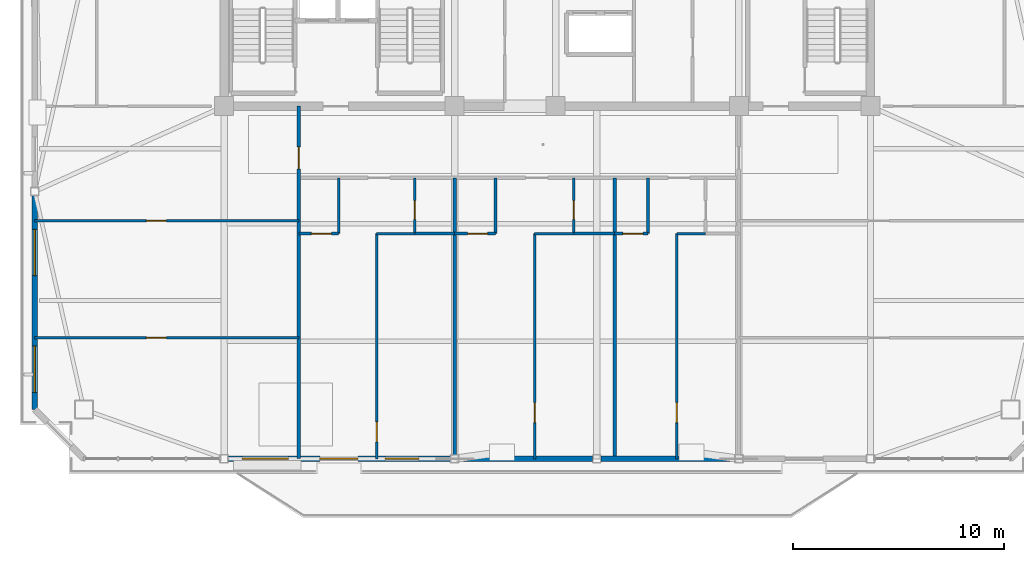
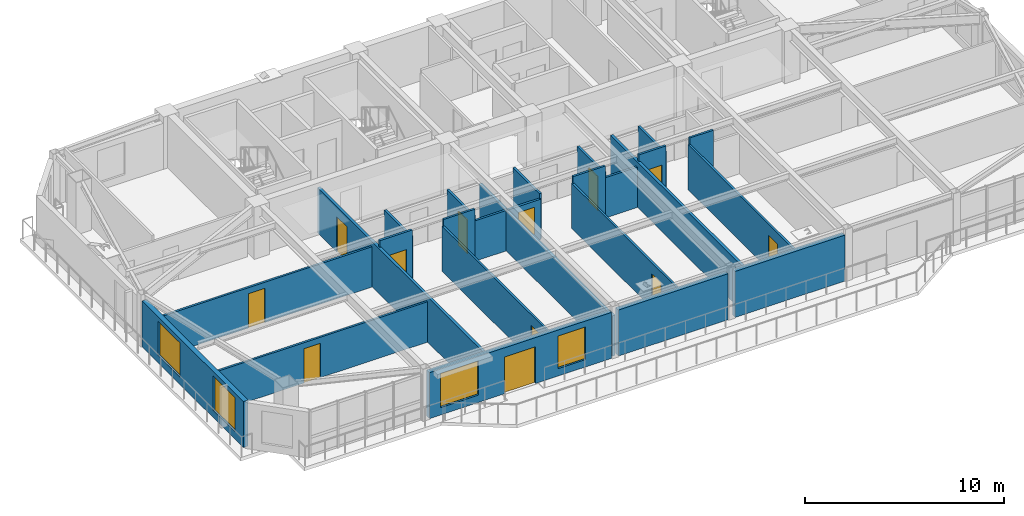
# One storey, part 6 of 14: 25 walls, 12 doors, 4 windows, 16 openings.
"""IFC4 building model written with IfcOpenShell, lengths in metres."""

from ifc_helpers import new_model, si_unit, direction, frame, frame_2d, origin, place, context, subcontext, project, spatial, rectangle, extrude, source, transform, mapped, material, layer, layer_set, type_object, element, fill, save


model = new_model("IFC4")

# Units and contexts
model_context = context("Model", 3, precision=1e-05, world=origin(), true_north=direction((0.0, 1.0)))
body_context = subcontext(model_context, "Body", "Model", "MODEL_VIEW")
ifc_project = project(units=[si_unit("LENGTHUNIT", "METRE"), si_unit("AREAUNIT", "SQUARE_METRE"), si_unit("VOLUMEUNIT", "CUBIC_METRE"), si_unit("PLANEANGLEUNIT", "RADIAN"), si_unit("MASSUNIT", "GRAM", prefix="KILO")], contexts=[model_context])

# Site, building, storey
site_placement = place(None, origin())
site = spatial("IfcSite", under=ifc_project, at=site_placement, CompositionType="ELEMENT")
building_placement = place(site_placement, origin())
building = spatial("IfcBuilding", under=site, at=building_placement, Name="Giltprow Tower", CompositionType="ELEMENT")
storey_placement = place(building_placement, frame((0.0, 0.0, 314.199951171875)))
storey = spatial("IfcBuildingStorey", under=building, at=storey_placement, Name="L81", CompositionType="ELEMENT", Elevation=314.199951171875)

# Wall, openings, windows, door
ifc_material_1 = material(Name="Precast concrete C40", Category="concrete")
ifc_layer_1 = layer(ifc_material_1, 0.280029296875, Name="Precast concrete C40")
ifc_layer_set_1 = layer_set([ifc_layer_1], Name="Precast concrete C40")
wall_type_1 = type_object("IfcWallType", Name="EW-TOW-BRONZE-280", PredefinedType="SOLIDWALL", material=ifc_layer_set_1)
wall_1_placement = place(storey_placement, frame((20.050048828125, 20.7041015625, 0.0), z_axis=(0.0, 0.0, 1.0), x_axis=(1.0, 0.0, 0.0)))
wall_1 = element("IfcWall", 1, at=wall_1_placement, inside=storey, type_object=wall_type_1, Name="L81 South Expressed Frame Wall 2", PredefinedType="SOLIDWALL", context=body_context, shape_type="SweptSolid", body=[
    extrude(rectangle(XDim=10.550048828125, YDim=0.280029296875, at=frame_2d((5.27490234375, 0.0))), origin(), (0.0, 0.0, 1.0), 2.81494140625),
])
opening_1_placement = place(wall_1_placement, frame((4.35009765625, 0.0, 0.0)))
opening_1 = element("IfcOpeningElement", 2, at=opening_1_placement, cuts=wall_1, Name="Opening ED25", PredefinedType="OPENING", context=body_context, shape_type="SweptSolid", body=[
    extrude(rectangle(XDim=1.800048828125, YDim=2.25, at=frame_2d((0.89990234375, 1.125))), frame((0.0, 0.14990234375, 0.0), z_axis=(0.0, -1.0, 0.0), x_axis=(1.0, 0.0, 0.0)), (0.0, 0.0, 1.0), 0.300048828125),
])
opening_2_placement = place(wall_1_placement, frame((0.64990234375, 0.0, 0.449951171875)))
opening_2 = element("IfcOpeningElement", 3, at=opening_2_placement, cuts=wall_1, Name="Opening WN27", PredefinedType="OPENING", context=body_context, shape_type="SweptSolid", body=[
    extrude(rectangle(XDim=2.199951171875, YDim=2.10009765625, at=frame_2d((1.10009765625, 1.050048828125))), frame((0.0, 0.14990234375, 0.0), z_axis=(0.0, -1.0, 0.0), x_axis=(1.0, 0.0, 0.0)), (0.0, 0.0, 1.0), 0.300048828125),
])
opening_3_placement = place(wall_1_placement, frame((7.449951171875, 0.0, 0.449951171875)))
opening_3 = element("IfcOpeningElement", 4, at=opening_3_placement, cuts=wall_1, Name="Opening WN17", PredefinedType="OPENING", context=body_context, shape_type="SweptSolid", body=[
    extrude(rectangle(XDim=1.60009765625, YDim=2.0, at=frame_2d((0.800048828125, 1.0))), frame((0.0, 0.14990234375, 0.0), z_axis=(0.0, -1.0, 0.0), x_axis=(1.0, 0.0, 0.0)), (0.0, 0.0, 1.0), 0.300048828125),
])
ifc_material_2 = material(Name="Insulated glass", Category="glass")
window_type_1 = type_object("IfcWindowType", Name="WN-COR-1600x2000", PartitioningType="SINGLE_PANEL", PredefinedType="WINDOW", material=ifc_material_2)
shared_shape_1 = source(origin(), body_context, "Body", "SweptSolid", [
    extrude(rectangle(XDim=1.60009765625, YDim=2.0, at=frame_2d((0.800048828125, 1.0))), frame((0.0, 0.030029296875, 0.0), z_axis=(0.0, -1.0, 0.0), x_axis=(1.0, 0.0, 0.0)), (0.0, 0.0, 1.0), 0.06005859375),
])
window_1_placement = place(opening_3_placement, origin())
window_1 = element("IfcWindow", 5, at=window_1_placement, inside=storey, type_object=window_type_1, Name="L81 South Window 2B", OverallHeight=2.0, OverallWidth=1.60009765625, PartitioningType="SINGLE_PANEL", PredefinedType="WINDOW", context=body_context, shape_type="MappedRepresentation", body=[
    mapped(shared_shape_1, transform((0.0, 0.0, 0.0), x_axis=(1.0, 0.0, 0.0), y_axis=(0.0, 1.0, 0.0), z_axis=(0.0, 0.0, 1.0), scale=1.0)),
])
fill(opening_3, window_1)
ifc_material_3 = material(Name="Anodized bronze and glass", Category="glass")
door_type_1 = type_object("IfcDoorType", Name="DR-BALC-SLIDE-1800", OperationType="SLIDING_TO_LEFT", PredefinedType="DOOR", material=ifc_material_3)
shared_shape_2 = source(origin(), body_context, "Body", "SweptSolid", [
    extrude(rectangle(XDim=1.800048828125, YDim=2.25, at=frame_2d((0.89990234375, 1.125))), frame((0.0, 0.02490234375, 0.0), z_axis=(0.0, -1.0, 0.0), x_axis=(1.0, 0.0, 0.0)), (0.0, 0.0, 1.0), 0.050048828125),
])
door_1_placement = place(opening_1_placement, origin())
door_1 = element("IfcDoor", 6, at=door_1_placement, inside=storey, type_object=door_type_1, Name="L81 Waterfront Balcony Sliding Door 1", OperationType="SLIDING_TO_LEFT", OverallHeight=2.25, OverallWidth=1.800048828125, PredefinedType="DOOR", context=body_context, shape_type="MappedRepresentation", body=[
    mapped(shared_shape_2, transform((0.0, 0.0, 0.0), x_axis=(1.0, 0.0, 0.0), y_axis=(0.0, 1.0, 0.0), z_axis=(0.0, 0.0, 1.0), scale=1.0)),
])
fill(opening_1, door_1)
window_type_2 = type_object("IfcWindowType", Name="WN-RES-2200x2100", PartitioningType="TRIPLE_PANEL_VERTICAL", PredefinedType="WINDOW", material=ifc_material_2)
shared_shape_3 = source(origin(), body_context, "Body", "SweptSolid", [
    extrude(rectangle(XDim=2.199951171875, YDim=2.10009765625, at=frame_2d((1.10009765625, 1.050048828125))), frame((0.0, 0.030029296875, 0.0), z_axis=(0.0, -1.0, 0.0), x_axis=(1.0, 0.0, 0.0)), (0.0, 0.0, 1.0), 0.06005859375),
])
window_2_placement = place(opening_2_placement, origin())
window_2 = element("IfcWindow", 7, at=window_2_placement, inside=storey, type_object=window_type_2, Name="L81 South Window 2A", OverallHeight=2.10009765625, OverallWidth=2.199951171875, PartitioningType="SINGLE_PANEL", PredefinedType="WINDOW", context=body_context, shape_type="MappedRepresentation", body=[
    mapped(shared_shape_3, transform((0.0, 0.0, 0.0), x_axis=(1.0, 0.0, 0.0), y_axis=(0.0, 1.0, 0.0), z_axis=(0.0, 0.0, 1.0), scale=1.0)),
])
fill(opening_2, window_2)

# Walls
for number, where, z_axis, x_axis, name in (
    (8, (31.0, 20.7041015625, 0.0), (0.0, 0.0, 1.0), (1.0, 0.0, 0.0), "L81 South Expressed Frame Wall 3"),
    (9, (37.75, 20.7041015625, 0.0), (0.0, 0.0, 1.0), (1.0, 0.0, 0.0), "L81 South Expressed Frame Wall 4"),
):
    element("IfcWall", number, at=place(storey_placement, frame(where, z_axis=z_axis, x_axis=x_axis)), inside=storey, type_object=wall_type_1, Name=name, PredefinedType="SOLIDWALL", context=body_context, shape_type="SweptSolid", body=[
        extrude(rectangle(XDim=6.35009765625, YDim=0.280029296875, at=frame_2d((3.175048828125, 0.0))), origin(), (0.0, 0.0, 1.0), 2.81494140625),
    ])

# Wall, openings, windows
wall_2_placement = place(storey_placement, frame((10.85498046875, 23.0419921875, 0.0), z_axis=(0.0, 0.0, 1.0), x_axis=(0.0, 1.0, 0.0)))
wall_2 = element("IfcWall", 10, at=wall_2_placement, inside=storey, type_object=wall_type_1, Name="L81 W Wing Masonry Wall 1", PredefinedType="SOLIDWALL", context=body_context, shape_type="SweptSolid", body=[
    extrude(rectangle(XDim=10.159912109375, YDim=0.280029296875, at=frame_2d((5.080078125, 0.0))), origin(), (0.0, 0.0, 1.0), 2.81494140625),
])
opening_4_placement = place(wall_2_placement, frame((0.820068359375, 0.0, 0.449951171875)))
opening_4 = element("IfcOpeningElement", 11, at=opening_4_placement, cuts=wall_2, Name="Opening WN27", PredefinedType="OPENING", context=body_context, shape_type="SweptSolid", body=[
    extrude(rectangle(XDim=2.199951171875, YDim=2.10009765625, at=frame_2d((1.10009765625, 1.050048828125))), frame((0.0, 0.14990234375, 0.0), z_axis=(0.0, -1.0, 0.0), x_axis=(1.0, 0.0, 0.0)), (0.0, 0.0, 1.0), 0.300048828125),
])
opening_5_placement = place(wall_2_placement, frame((6.362060546875, 0.0, 0.449951171875)))
opening_5 = element("IfcOpeningElement", 12, at=opening_5_placement, cuts=wall_2, Name="Opening WN27", PredefinedType="OPENING", context=body_context, shape_type="SweptSolid", body=[
    extrude(rectangle(XDim=2.199951171875, YDim=2.10009765625, at=frame_2d((1.10009765625, 1.050048828125))), frame((0.0, 0.14990234375, 0.0), z_axis=(0.0, -1.0, 0.0), x_axis=(1.0, 0.0, 0.0)), (0.0, 0.0, 1.0), 0.300048828125),
])
window_3_placement = place(opening_4_placement, origin())
window_3 = element("IfcWindow", 13, at=window_3_placement, inside=storey, type_object=window_type_2, Name="L81 W Wing Window 1-1A", OverallHeight=2.10009765625, OverallWidth=2.199951171875, PartitioningType="SINGLE_PANEL", PredefinedType="WINDOW", context=body_context, shape_type="MappedRepresentation", body=[
    mapped(shared_shape_3, transform((0.0, 0.0, 0.0), x_axis=(1.0, 0.0, 0.0), y_axis=(0.0, 1.0, 0.0), z_axis=(0.0, 0.0, 1.0), scale=1.0)),
])
fill(opening_4, window_3)
window_4_placement = place(opening_5_placement, origin())
window_4 = element("IfcWindow", 14, at=window_4_placement, inside=storey, type_object=window_type_2, Name="L81 W Wing Window 1-1B", OverallHeight=2.10009765625, OverallWidth=2.199951171875, PartitioningType="SINGLE_PANEL", PredefinedType="WINDOW", context=body_context, shape_type="MappedRepresentation", body=[
    mapped(shared_shape_3, transform((0.0, 0.0, 0.0), x_axis=(1.0, 0.0, 0.0), y_axis=(0.0, 1.0, 0.0), z_axis=(0.0, 0.0, 1.0), scale=1.0)),
])
fill(opening_5, window_4)

# Wall, opening, door
ifc_material_4 = material(Name="Gypsum stud partition", Category="gypsum")
ifc_layer_2 = layer(ifc_material_4, 0.159912109375, Name="Gypsum stud partition")
ifc_layer_set_2 = layer_set([ifc_layer_2], Name="Gypsum stud partition")
wall_type_2 = type_object("IfcWallType", Name="IW-DEMISE-160", PredefinedType="PARTITIONING", material=ifc_layer_set_2)
wall_3_placement = place(storey_placement, frame((23.39990234375, 20.7041015625, 0.0), z_axis=(0.0, 0.0, 1.0), x_axis=(0.0, 1.0, 0.0)))
wall_3 = element("IfcWall", 15, at=wall_3_placement, inside=storey, type_object=wall_type_2, Name="L81 Apartment Party Wall 1", PredefinedType="PARTITIONING", context=body_context, shape_type="SweptSolid", body=[
    extrude(rectangle(XDim=16.745849609375, YDim=0.159912109375, at=frame_2d((8.373046875, 0.0))), origin(), (0.0, 0.0, 1.0), 2.77001953125),
])
opening_6_placement = place(wall_3_placement, frame((13.76611328125, 0.0, 0.0)))
opening_6 = element("IfcOpeningElement", 16, at=opening_6_placement, cuts=wall_3, Name="Opening ID31", PredefinedType="OPENING", context=body_context, shape_type="SweptSolid", body=[
    extrude(rectangle(XDim=1.050048828125, YDim=2.14990234375, at=frame_2d((0.52490234375, 1.074951171875))), frame((0.0, 0.08984375, 0.0), z_axis=(0.0, -1.0, 0.0), x_axis=(1.0, 0.0, 0.0)), (0.0, 0.0, 1.0), 0.179931640625),
])
ifc_material_5 = material(Name="Engineered timber", Category="wood")
door_type_2 = type_object("IfcDoorType", Name="DR-SUITE-1050", OperationType="SINGLE_SWING_LEFT", PredefinedType="DOOR", material=ifc_material_5)
shared_shape_4 = source(origin(), body_context, "Body", "SweptSolid", [
    extrude(rectangle(XDim=1.050048828125, YDim=2.14990234375, at=frame_2d((0.52490234375, 1.074951171875))), frame((0.0, 0.02490234375, 0.0), z_axis=(0.0, -1.0, 0.0), x_axis=(1.0, 0.0, 0.0)), (0.0, 0.0, 1.0), 0.050048828125),
])
door_2_placement = place(opening_6_placement, origin())
door_2 = element("IfcDoor", 17, at=door_2_placement, inside=storey, type_object=door_type_2, Name="L81 Committee Meeting Room Corridor End Door", OperationType="SINGLE_SWING_RIGHT", OverallHeight=2.14990234375, OverallWidth=1.050048828125, PredefinedType="DOOR", context=body_context, shape_type="MappedRepresentation", body=[
    mapped(shared_shape_4, transform((0.0, 0.0, 0.0), x_axis=(1.0, 0.0, 0.0), y_axis=(0.0, 1.0, 0.0), z_axis=(0.0, 0.0, 1.0), scale=1.0)),
])
fill(opening_6, door_2)

# Walls
wall_4_placement = place(storey_placement, frame((30.800048828125, 20.7041015625, 0.0), z_axis=(0.0, 0.0, 1.0), x_axis=(0.0, 1.0, 0.0)))
element("IfcWall", 18, at=wall_4_placement, inside=storey, type_object=wall_type_2, Name="L81 Apartment Party Wall 2", PredefinedType="PARTITIONING", context=body_context, shape_type="SweptSolid", body=[
    extrude(rectangle(XDim=13.345947265625, YDim=0.159912109375, at=frame_2d((6.6728515625, 0.0))), origin(), (0.0, 0.0, 1.0), 2.469970703125),
])
wall_5_placement = place(storey_placement, frame((38.39990234375, 20.7041015625, 0.0), z_axis=(0.0, 0.0, 1.0), x_axis=(0.0, 1.0, 0.0)))
element("IfcWall", 19, at=wall_5_placement, inside=storey, type_object=wall_type_2, Name="L81 Apartment Party Wall 3", PredefinedType="PARTITIONING", context=body_context, shape_type="SweptSolid", body=[
    extrude(rectangle(XDim=13.345947265625, YDim=0.159912109375, at=frame_2d((6.6728515625, 0.0))), origin(), (0.0, 0.0, 1.0), 2.77001953125),
])

# Wall, opening, door
ifc_layer_3 = layer(ifc_material_4, 0.1201171875, Name="Gypsum stud partition")
ifc_layer_set_3 = layer_set([ifc_layer_3], Name="Gypsum stud partition")
wall_type_3 = type_object("IfcWallType", Name="IW-ROOM-120", PredefinedType="PARTITIONING", material=ifc_layer_set_3)
wall_6_placement = place(storey_placement, frame((10.85498046875, 26.4619140625, 0.0), z_axis=(0.0, 0.0, 1.0), x_axis=(1.0, 0.0, 0.0)))
wall_6 = element("IfcWall", 20, at=wall_6_placement, inside=storey, type_object=wall_type_3, Name="L81 Special Split 1", PredefinedType="PARTITIONING", context=body_context, shape_type="SweptSolid", body=[
    extrude(rectangle(XDim=12.544921875, YDim=0.1201171875, at=frame_2d((6.2724609375, 0.0))), origin(), (0.0, 0.0, 1.0), 2.469970703125),
])
opening_7_placement = place(wall_6_placement, frame((5.303955078125, 0.0, 0.0)))
opening_7 = element("IfcOpeningElement", 21, at=opening_7_placement, cuts=wall_6, Name="Opening ID11", PredefinedType="OPENING", context=body_context, shape_type="SweptSolid", body=[
    extrude(rectangle(XDim=0.949951171875, YDim=2.10009765625, at=frame_2d((0.47509765625, 1.050048828125))), frame((0.0, 0.070068359375, 0.0), z_axis=(0.0, -1.0, 0.0), x_axis=(1.0, 0.0, 0.0)), (0.0, 0.0, 1.0), 0.14013671875),
])
door_type_3 = type_object("IfcDoorType", Name="DR-ROOM-950", OperationType="SINGLE_SWING_RIGHT", PredefinedType="DOOR", material=ifc_material_5)
shared_shape_5 = source(origin(), body_context, "Body", "SweptSolid", [
    extrude(rectangle(XDim=0.949951171875, YDim=2.10009765625, at=frame_2d((0.47509765625, 1.050048828125))), frame((0.0, 0.02490234375, 0.0), z_axis=(0.0, -1.0, 0.0), x_axis=(1.0, 0.0, 0.0)), (0.0, 0.0, 1.0), 0.050048828125),
])
door_3_placement = place(opening_7_placement, origin())
door_3 = element("IfcDoor", 22, at=door_3_placement, inside=storey, type_object=door_type_3, Name="L81 Committee Meeting Room South Door", OperationType="SINGLE_SWING_RIGHT", OverallHeight=2.10009765625, OverallWidth=0.949951171875, PredefinedType="DOOR", context=body_context, shape_type="MappedRepresentation", body=[
    mapped(shared_shape_5, transform((0.0, 0.0, 0.0), x_axis=(1.0, 0.0, 0.0), y_axis=(0.0, 1.0, 0.0), z_axis=(0.0, 0.0, 1.0), scale=1.0)),
])
fill(opening_7, door_3)

wall_7_placement = place(storey_placement, frame((10.85498046875, 32.01904296875, 0.0), z_axis=(0.0, 0.0, 1.0), x_axis=(1.0, 0.0, 0.0)))
wall_7 = element("IfcWall", 23, at=wall_7_placement, inside=storey, type_object=wall_type_3, Name="L81 Special Split 2", PredefinedType="PARTITIONING", context=body_context, shape_type="SweptSolid", body=[
    extrude(rectangle(XDim=12.544921875, YDim=0.1201171875, at=frame_2d((6.2724609375, 0.0))), origin(), (0.0, 0.0, 1.0), 2.469970703125),
])
opening_8_placement = place(wall_7_placement, frame((5.303955078125, 0.0, 0.0)))
opening_8 = element("IfcOpeningElement", 24, at=opening_8_placement, cuts=wall_7, Name="Opening ID11", PredefinedType="OPENING", context=body_context, shape_type="SweptSolid", body=[
    extrude(rectangle(XDim=0.949951171875, YDim=2.10009765625, at=frame_2d((0.47509765625, 1.050048828125))), frame((0.0, 0.070068359375, 0.0), z_axis=(0.0, -1.0, 0.0), x_axis=(1.0, 0.0, 0.0)), (0.0, 0.0, 1.0), 0.14013671875),
])
door_4_placement = place(opening_8_placement, origin())
door_4 = element("IfcDoor", 25, at=door_4_placement, inside=storey, type_object=door_type_3, Name="L81 Committee Meeting Room Mid Door", OperationType="SINGLE_SWING_LEFT", OverallHeight=2.10009765625, OverallWidth=0.949951171875, PredefinedType="DOOR", context=body_context, shape_type="MappedRepresentation", body=[
    mapped(shared_shape_5, transform((0.0, 0.0, 0.0), x_axis=(1.0, 0.0, 0.0), y_axis=(0.0, 1.0, 0.0), z_axis=(0.0, 0.0, 1.0), scale=1.0)),
])
fill(opening_8, door_4)

# Wall
wall_8_placement = place(storey_placement, frame((27.10009765625, 31.39990234375, 0.0), z_axis=(0.0, 0.0, 1.0), x_axis=(1.0, 0.0, 0.0)))
element("IfcWall", 26, at=wall_8_placement, inside=storey, type_object=wall_type_3, Name="L81 Unit 1 Bedroom North Wall", PredefinedType="PARTITIONING", context=body_context, shape_type="SweptSolid", body=[
    extrude(rectangle(XDim=1.809814453125, YDim=0.1201171875, at=frame_2d((0.90478515625, 0.0))), origin(), (0.0, 0.0, 1.0), 3.18505859375),
])

# Wall, opening, door
wall_9_placement = place(storey_placement, frame((27.10009765625, 20.7041015625, 0.0), z_axis=(0.0, 0.0, 1.0), x_axis=(0.0, 1.0, 0.0)))
wall_9 = element("IfcWall", 27, at=wall_9_placement, inside=storey, type_object=wall_type_3, Name="L81 Unit 1 Bedroom Wall", PredefinedType="PARTITIONING", context=body_context, shape_type="SweptSolid", body=[
    extrude(rectangle(XDim=10.69580078125, YDim=0.1201171875, at=frame_2d((5.347900390625, 0.0))), origin(), (0.0, 0.0, 1.0), 2.77001953125),
])
opening_9_placement = place(wall_9_placement, frame((0.800048828125, 0.0, 0.0)))
opening_9 = element("IfcOpeningElement", 28, at=opening_9_placement, cuts=wall_9, Name="Opening ID11", PredefinedType="OPENING", context=body_context, shape_type="SweptSolid", body=[
    extrude(rectangle(XDim=0.949951171875, YDim=2.10009765625, at=frame_2d((0.47509765625, 1.050048828125))), frame((0.0, 0.070068359375, 0.0), z_axis=(0.0, -1.0, 0.0), x_axis=(1.0, 0.0, 0.0)), (0.0, 0.0, 1.0), 0.14013671875),
])
door_5_placement = place(opening_9_placement, origin())
door_5 = element("IfcDoor", 29, at=door_5_placement, inside=storey, type_object=door_type_3, Name="L81 Unit 1 Primary Bedroom Door", OperationType="SINGLE_SWING_RIGHT", OverallHeight=2.10009765625, OverallWidth=0.949951171875, PredefinedType="DOOR", context=body_context, shape_type="MappedRepresentation", body=[
    mapped(shared_shape_5, transform((0.0, 0.0, 0.0), x_axis=(1.0, 0.0, 0.0), y_axis=(0.0, 1.0, 0.0), z_axis=(0.0, 0.0, 1.0), scale=1.0)),
])
fill(opening_9, door_5)

# Wall
wall_10_placement = place(storey_placement, frame((34.60009765625, 31.39990234375, 0.0), z_axis=(0.0, 0.0, 1.0), x_axis=(1.0, 0.0, 0.0)))
element("IfcWall", 30, at=wall_10_placement, inside=storey, type_object=wall_type_3, Name="L81 Unit 2 Bedroom North Wall", PredefinedType="PARTITIONING", context=body_context, shape_type="SweptSolid", body=[
    extrude(rectangle(XDim=1.85986328125, YDim=0.1201171875, at=frame_2d((0.929931640625, 0.0))), origin(), (0.0, 0.0, 1.0), 3.18505859375),
])

# Wall, opening, door
wall_11_placement = place(storey_placement, frame((34.60009765625, 20.7041015625, 0.0), z_axis=(0.0, 0.0, 1.0), x_axis=(0.0, 1.0, 0.0)))
wall_11 = element("IfcWall", 31, at=wall_11_placement, inside=storey, type_object=wall_type_3, Name="L81 Unit 2 Bedroom Wall", PredefinedType="PARTITIONING", context=body_context, shape_type="SweptSolid", body=[
    extrude(rectangle(XDim=10.69580078125, YDim=0.1201171875, at=frame_2d((5.347900390625, 0.0))), origin(), (0.0, 0.0, 1.0), 2.77001953125),
])
opening_10_placement = place(wall_11_placement, frame((1.719970703125, 0.0, 0.0)))
opening_10 = element("IfcOpeningElement", 32, at=opening_10_placement, cuts=wall_11, Name="Opening ID11", PredefinedType="OPENING", context=body_context, shape_type="SweptSolid", body=[
    extrude(rectangle(XDim=0.949951171875, YDim=2.10009765625, at=frame_2d((0.47509765625, 1.050048828125))), frame((0.0, 0.070068359375, 0.0), z_axis=(0.0, -1.0, 0.0), x_axis=(1.0, 0.0, 0.0)), (0.0, 0.0, 1.0), 0.14013671875),
])
door_6_placement = place(opening_10_placement, origin())
door_6 = element("IfcDoor", 33, at=door_6_placement, inside=storey, type_object=door_type_3, Name="L81 Unit 2 Primary Bedroom Door", OperationType="SINGLE_SWING_RIGHT", OverallHeight=2.10009765625, OverallWidth=0.949951171875, PredefinedType="DOOR", context=body_context, shape_type="MappedRepresentation", body=[
    mapped(shared_shape_5, transform((0.0, 0.0, 0.0), x_axis=(1.0, 0.0, 0.0), y_axis=(0.0, 1.0, 0.0), z_axis=(0.0, 0.0, 1.0), scale=1.0)),
])
fill(opening_10, door_6)

# Wall
wall_12_placement = place(storey_placement, frame((41.35009765625, 31.39990234375, 0.0), z_axis=(0.0, 0.0, 1.0), x_axis=(1.0, 0.0, 0.0)))
element("IfcWall", 34, at=wall_12_placement, inside=storey, type_object=wall_type_3, Name="L81 Unit 3 Bedroom North Wall", PredefinedType="PARTITIONING", context=body_context, shape_type="SweptSolid", body=[
    extrude(rectangle(XDim=1.369873046875, YDim=0.1201171875, at=frame_2d((0.68505859375, 0.0))), origin(), (0.0, 0.0, 1.0), 3.18505859375),
])

# Wall, opening, door
wall_13_placement = place(storey_placement, frame((41.35009765625, 20.7041015625, 0.0), z_axis=(0.0, 0.0, 1.0), x_axis=(0.0, 1.0, 0.0)))
wall_13 = element("IfcWall", 35, at=wall_13_placement, inside=storey, type_object=wall_type_3, Name="L81 Unit 3 Bedroom Wall", PredefinedType="PARTITIONING", context=body_context, shape_type="SweptSolid", body=[
    extrude(rectangle(XDim=10.69580078125, YDim=0.1201171875, at=frame_2d((5.347900390625, 0.0))), origin(), (0.0, 0.0, 1.0), 2.77001953125),
])
opening_11_placement = place(wall_13_placement, frame((1.719970703125, 0.0, 0.0)))
opening_11 = element("IfcOpeningElement", 36, at=opening_11_placement, cuts=wall_13, Name="Opening ID11", PredefinedType="OPENING", context=body_context, shape_type="SweptSolid", body=[
    extrude(rectangle(XDim=0.949951171875, YDim=2.10009765625, at=frame_2d((0.47509765625, 1.050048828125))), frame((0.0, 0.070068359375, 0.0), z_axis=(0.0, -1.0, 0.0), x_axis=(1.0, 0.0, 0.0)), (0.0, 0.0, 1.0), 0.14013671875),
])
door_7_placement = place(opening_11_placement, origin())
door_7 = element("IfcDoor", 37, at=door_7_placement, inside=storey, type_object=door_type_3, Name="L81 Unit 3 Primary Bedroom Door", OperationType="SINGLE_SWING_RIGHT", OverallHeight=2.10009765625, OverallWidth=0.949951171875, PredefinedType="DOOR", context=body_context, shape_type="MappedRepresentation", body=[
    mapped(shared_shape_5, transform((0.0, 0.0, 0.0), x_axis=(1.0, 0.0, 0.0), y_axis=(0.0, 1.0, 0.0), z_axis=(0.0, 0.0, 1.0), scale=1.0)),
])
fill(opening_11, door_7)

ifc_material_6 = material(Name="Concrete C30", Category="concrete")
ifc_layer_4 = layer(ifc_material_6, 0.1298828125, Name="Concrete C30")
ifc_layer_set_4 = layer_set([ifc_layer_4], Name="Concrete C30")
wall_type_4 = type_object("IfcWallType", Name="IW-WET-130", PredefinedType="PARTITIONING", material=ifc_layer_set_4)
wall_14_placement = place(storey_placement, frame((23.39990234375, 31.39990234375, 0.0), z_axis=(0.0, 0.0, 1.0), x_axis=(1.0, 0.0, 0.0)))
wall_14 = element("IfcWall", 38, at=wall_14_placement, inside=storey, type_object=wall_type_4, Name="L81 Unit 1 Kitchen South Wall", PredefinedType="PARTITIONING", context=body_context, shape_type="SweptSolid", body=[
    extrude(rectangle(XDim=1.89013671875, YDim=0.1298828125, at=frame_2d((0.945068359375, 0.0))), origin(), (0.0, 0.0, 1.0), 3.18505859375),
])
opening_12_placement = place(wall_14_placement, frame((0.590087890625, 0.0, 0.0)))
opening_12 = element("IfcOpeningElement", 39, at=opening_12_placement, cuts=wall_14, Name="Opening ID11", PredefinedType="OPENING", context=body_context, shape_type="SweptSolid", body=[
    extrude(rectangle(XDim=0.949951171875, YDim=2.10009765625, at=frame_2d((0.47509765625, 1.050048828125))), frame((0.0, 0.074951171875, 0.0), z_axis=(0.0, -1.0, 0.0), x_axis=(1.0, 0.0, 0.0)), (0.0, 0.0, 1.0), 0.14990234375),
])
door_8_placement = place(opening_12_placement, origin())
door_8 = element("IfcDoor", 40, at=door_8_placement, inside=storey, type_object=door_type_3, Name="L81 Unit 1 Kitchen Door", OperationType="SINGLE_SWING_RIGHT", OverallHeight=2.10009765625, OverallWidth=0.949951171875, PredefinedType="DOOR", context=body_context, shape_type="MappedRepresentation", body=[
    mapped(shared_shape_5, transform((0.0, 0.0, 0.0), x_axis=(1.0, 0.0, 0.0), y_axis=(0.0, 1.0, 0.0), z_axis=(0.0, 0.0, 1.0), scale=1.0)),
])
fill(opening_12, door_8)

# Walls
wall_15_placement = place(storey_placement, frame((25.2900390625, 31.39990234375, 0.0), z_axis=(0.0, 0.0, 1.0), x_axis=(0.0, 1.0, 0.0)))
element("IfcWall", 41, at=wall_15_placement, inside=storey, type_object=wall_type_4, Name="L81 Unit 1 Kitchen East Wall", PredefinedType="PARTITIONING", context=body_context, shape_type="SweptSolid", body=[
    extrude(rectangle(XDim=2.650146484375, YDim=0.1298828125, at=frame_2d((1.3251953125, 0.0))), origin(), (0.0, 0.0, 1.0), 2.77001953125),
])
wall_16_placement = place(storey_placement, frame((28.909912109375, 31.39990234375, 0.0), z_axis=(0.0, 0.0, 1.0), x_axis=(1.0, 0.0, 0.0)))
element("IfcWall", 42, at=wall_16_placement, inside=storey, type_object=wall_type_4, Name="L81 Unit 1 Bathroom South Wall", PredefinedType="PARTITIONING", context=body_context, shape_type="SweptSolid", body=[
    extrude(rectangle(XDim=1.89013671875, YDim=0.1298828125, at=frame_2d((0.945068359375, 0.0))), origin(), (0.0, 0.0, 1.0), 2.469970703125),
])

# Wall, opening, door
wall_17_placement = place(storey_placement, frame((28.909912109375, 31.39990234375, 0.0), z_axis=(0.0, 0.0, 1.0), x_axis=(0.0, 1.0, 0.0)))
wall_17 = element("IfcWall", 43, at=wall_17_placement, inside=storey, type_object=wall_type_4, Name="L81 Unit 1 Bathroom West Wall", PredefinedType="PARTITIONING", context=body_context, shape_type="SweptSolid", body=[
    extrude(rectangle(XDim=2.650146484375, YDim=0.1298828125, at=frame_2d((1.3251953125, 0.0))), origin(), (0.0, 0.0, 1.0), 2.77001953125),
])
opening_13_placement = place(wall_17_placement, frame((0.669921875, 0.0, 0.0)))
opening_13 = element("IfcOpeningElement", 44, at=opening_13_placement, cuts=wall_17, Name="Opening ID15", PredefinedType="OPENING", context=body_context, shape_type="SweptSolid", body=[
    extrude(rectangle(XDim=0.89990234375, YDim=2.10009765625, at=frame_2d((0.449951171875, 1.050048828125))), frame((0.0, 0.074951171875, 0.0), z_axis=(0.0, -1.0, 0.0), x_axis=(1.0, 0.0, 0.0)), (0.0, 0.0, 1.0), 0.14990234375),
])
door_type_4 = type_object("IfcDoorType", Name="DR-WC-900", OperationType="SINGLE_SWING_LEFT", PredefinedType="DOOR", material=ifc_material_5)
shared_shape_6 = source(origin(), body_context, "Body", "SweptSolid", [
    extrude(rectangle(XDim=0.89990234375, YDim=2.10009765625, at=frame_2d((0.449951171875, 1.050048828125))), frame((0.0, 0.02490234375, 0.0), z_axis=(0.0, -1.0, 0.0), x_axis=(1.0, 0.0, 0.0)), (0.0, 0.0, 1.0), 0.050048828125),
])
door_9_placement = place(opening_13_placement, origin())
door_9 = element("IfcDoor", 45, at=door_9_placement, inside=storey, type_object=door_type_4, Name="L81 Unit 1 Bathroom Door", OperationType="SINGLE_SWING_LEFT", OverallHeight=2.10009765625, OverallWidth=0.89990234375, PredefinedType="DOOR", context=body_context, shape_type="MappedRepresentation", body=[
    mapped(shared_shape_6, transform((0.0, 0.0, 0.0), x_axis=(1.0, 0.0, 0.0), y_axis=(0.0, 1.0, 0.0), z_axis=(0.0, 0.0, 1.0), scale=1.0)),
])
fill(opening_13, door_9)

wall_18_placement = place(storey_placement, frame((30.800048828125, 31.39990234375, 0.0), z_axis=(0.0, 0.0, 1.0), x_axis=(1.0, 0.0, 0.0)))
wall_18 = element("IfcWall", 46, at=wall_18_placement, inside=storey, type_object=wall_type_4, Name="L81 Unit 2 Kitchen South Wall", PredefinedType="PARTITIONING", context=body_context, shape_type="SweptSolid", body=[
    extrude(rectangle(XDim=1.93994140625, YDim=0.1298828125, at=frame_2d((0.969970703125, 0.0))), origin(), (0.0, 0.0, 1.0), 2.469970703125),
])
opening_14_placement = place(wall_18_placement, frame((0.614990234375, 0.0, 0.0)))
opening_14 = element("IfcOpeningElement", 47, at=opening_14_placement, cuts=wall_18, Name="Opening ID11", PredefinedType="OPENING", context=body_context, shape_type="SweptSolid", body=[
    extrude(rectangle(XDim=0.949951171875, YDim=2.10009765625, at=frame_2d((0.47509765625, 1.050048828125))), frame((0.0, 0.074951171875, 0.0), z_axis=(0.0, -1.0, 0.0), x_axis=(1.0, 0.0, 0.0)), (0.0, 0.0, 1.0), 0.14990234375),
])
door_10_placement = place(opening_14_placement, origin())
door_10 = element("IfcDoor", 48, at=door_10_placement, inside=storey, type_object=door_type_3, Name="L81 Unit 2 Kitchen Door", OperationType="SINGLE_SWING_RIGHT", OverallHeight=2.10009765625, OverallWidth=0.949951171875, PredefinedType="DOOR", context=body_context, shape_type="MappedRepresentation", body=[
    mapped(shared_shape_5, transform((0.0, 0.0, 0.0), x_axis=(1.0, 0.0, 0.0), y_axis=(0.0, 1.0, 0.0), z_axis=(0.0, 0.0, 1.0), scale=1.0)),
])
fill(opening_14, door_10)

# Walls
wall_19_placement = place(storey_placement, frame((32.739990234375, 31.39990234375, 0.0), z_axis=(0.0, 0.0, 1.0), x_axis=(0.0, 1.0, 0.0)))
element("IfcWall", 49, at=wall_19_placement, inside=storey, type_object=wall_type_4, Name="L81 Unit 2 Kitchen East Wall", PredefinedType="PARTITIONING", context=body_context, shape_type="SweptSolid", body=[
    extrude(rectangle(XDim=2.650146484375, YDim=0.1298828125, at=frame_2d((1.3251953125, 0.0))), origin(), (0.0, 0.0, 1.0), 2.77001953125),
])
wall_20_placement = place(storey_placement, frame((36.4599609375, 31.39990234375, 0.0), z_axis=(0.0, 0.0, 1.0), x_axis=(1.0, 0.0, 0.0)))
element("IfcWall", 50, at=wall_20_placement, inside=storey, type_object=wall_type_4, Name="L81 Unit 2 Bathroom South Wall", PredefinedType="PARTITIONING", context=body_context, shape_type="SweptSolid", body=[
    extrude(rectangle(XDim=1.93994140625, YDim=0.1298828125, at=frame_2d((0.969970703125, 0.0))), origin(), (0.0, 0.0, 1.0), 2.469970703125),
])

# Wall, opening, door
wall_21_placement = place(storey_placement, frame((36.4599609375, 31.39990234375, 0.0), z_axis=(0.0, 0.0, 1.0), x_axis=(0.0, 1.0, 0.0)))
wall_21 = element("IfcWall", 51, at=wall_21_placement, inside=storey, type_object=wall_type_4, Name="L81 Unit 2 Bathroom West Wall", PredefinedType="PARTITIONING", context=body_context, shape_type="SweptSolid", body=[
    extrude(rectangle(XDim=2.650146484375, YDim=0.1298828125, at=frame_2d((1.3251953125, 0.0))), origin(), (0.0, 0.0, 1.0), 2.77001953125),
])
opening_15_placement = place(wall_21_placement, frame((0.669921875, 0.0, 0.0)))
opening_15 = element("IfcOpeningElement", 52, at=opening_15_placement, cuts=wall_21, Name="Opening ID15", PredefinedType="OPENING", context=body_context, shape_type="SweptSolid", body=[
    extrude(rectangle(XDim=0.89990234375, YDim=2.10009765625, at=frame_2d((0.449951171875, 1.050048828125))), frame((0.0, 0.074951171875, 0.0), z_axis=(0.0, -1.0, 0.0), x_axis=(1.0, 0.0, 0.0)), (0.0, 0.0, 1.0), 0.14990234375),
])
door_11_placement = place(opening_15_placement, origin())
door_11 = element("IfcDoor", 53, at=door_11_placement, inside=storey, type_object=door_type_4, Name="L81 Unit 2 Bathroom Door", OperationType="SINGLE_SWING_LEFT", OverallHeight=2.10009765625, OverallWidth=0.89990234375, PredefinedType="DOOR", context=body_context, shape_type="MappedRepresentation", body=[
    mapped(shared_shape_6, transform((0.0, 0.0, 0.0), x_axis=(1.0, 0.0, 0.0), y_axis=(0.0, 1.0, 0.0), z_axis=(0.0, 0.0, 1.0), scale=1.0)),
])
fill(opening_15, door_11)

wall_22_placement = place(storey_placement, frame((38.39990234375, 31.39990234375, 0.0), z_axis=(0.0, 0.0, 1.0), x_axis=(1.0, 0.0, 0.0)))
wall_22 = element("IfcWall", 54, at=wall_22_placement, inside=storey, type_object=wall_type_4, Name="L81 Unit 3 Kitchen South Wall", PredefinedType="PARTITIONING", context=body_context, shape_type="SweptSolid", body=[
    extrude(rectangle(XDim=1.580078125, YDim=0.1298828125, at=frame_2d((0.7900390625, 0.0))), origin(), (0.0, 0.0, 1.0), 3.18505859375),
])
opening_16_placement = place(wall_22_placement, frame((0.389892578125, 0.0, 0.0)))
opening_16 = element("IfcOpeningElement", 55, at=opening_16_placement, cuts=wall_22, Name="Opening ID11", PredefinedType="OPENING", context=body_context, shape_type="SweptSolid", body=[
    extrude(rectangle(XDim=0.949951171875, YDim=2.10009765625, at=frame_2d((0.47509765625, 1.050048828125))), frame((0.0, 0.074951171875, 0.0), z_axis=(0.0, -1.0, 0.0), x_axis=(1.0, 0.0, 0.0)), (0.0, 0.0, 1.0), 0.14990234375),
])
door_12_placement = place(opening_16_placement, origin())
door_12 = element("IfcDoor", 56, at=door_12_placement, inside=storey, type_object=door_type_3, Name="L81 Unit 3 Kitchen Door", OperationType="SINGLE_SWING_RIGHT", OverallHeight=2.10009765625, OverallWidth=0.949951171875, PredefinedType="DOOR", context=body_context, shape_type="MappedRepresentation", body=[
    mapped(shared_shape_5, transform((0.0, 0.0, 0.0), x_axis=(1.0, 0.0, 0.0), y_axis=(0.0, 1.0, 0.0), z_axis=(0.0, 0.0, 1.0), scale=1.0)),
])
fill(opening_16, door_12)

# Wall
wall_23_placement = place(storey_placement, frame((39.97998046875, 31.39990234375, 0.0), z_axis=(0.0, 0.0, 1.0), x_axis=(0.0, 1.0, 0.0)))
element("IfcWall", 57, at=wall_23_placement, inside=storey, type_object=wall_type_4, Name="L81 Unit 3 Kitchen East Wall", PredefinedType="PARTITIONING", context=body_context, shape_type="SweptSolid", body=[
    extrude(rectangle(XDim=2.650146484375, YDim=0.1298828125, at=frame_2d((1.3251953125, 0.0))), origin(), (0.0, 0.0, 1.0), 2.77001953125),
])

save(model, "model.ifc")
